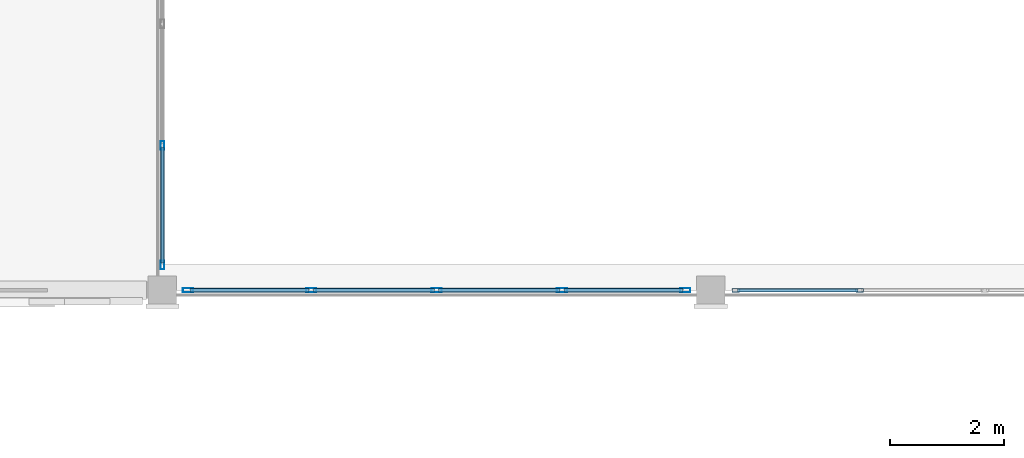
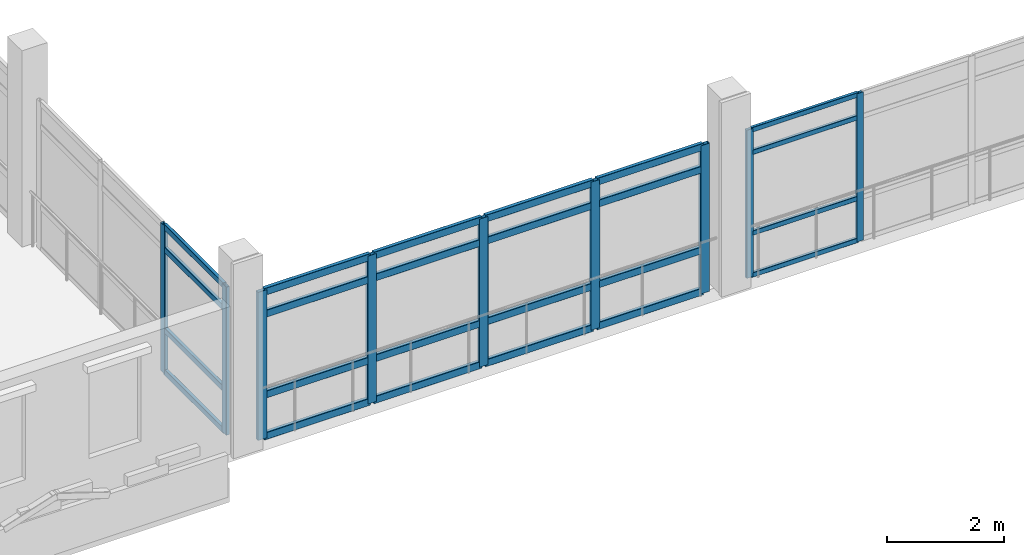
# One storey, part 3 of 24: 33 members, 3 elements without a shape of their own.
"""IFC4 building model written with IfcOpenShell, lengths in metres."""

from ifc_helpers import new_model, si_unit, direction, frame, origin, origin_2d, place, context, subcontext, project, spatial, hollow_rectangle, extrude, material, layer, layer_set, material_profile, profile_set, type_object, element, aggregate, save


model = new_model("IFC4")

# Units and contexts
model_context = context("Model", 3, precision=1e-05, world=origin(), true_north=direction((0.0, 1.0)))
body_context = subcontext(model_context, "Body", "Model", "MODEL_VIEW")
ifc_project = project(units=[si_unit("LENGTHUNIT", "METRE"), si_unit("AREAUNIT", "SQUARE_METRE"), si_unit("VOLUMEUNIT", "CUBIC_METRE"), si_unit("PLANEANGLEUNIT", "RADIAN"), si_unit("MASSUNIT", "GRAM", prefix="KILO")], contexts=[model_context])

# Site, building, storey
site_placement = place(None, origin())
site = spatial("IfcSite", under=ifc_project, at=site_placement, CompositionType="ELEMENT")
building_placement = place(site_placement, origin())
building = spatial("IfcBuilding", under=site, at=building_placement, Name="Asteropetra Specialist Clinic", CompositionType="ELEMENT")
storey_placement = place(building_placement, frame((0.0, 0.0, 20.739990234375)))
storey = spatial("IfcBuildingStorey", under=building, at=storey_placement, Name="L05", CompositionType="ELEMENT", Elevation=20.739990234375)

# Curtain wall, members
ifc_material_1 = material(Name="Aluminium and low-E glass", Category="aluminium")
ifc_layer_1 = layer(ifc_material_1, 0.135009765625)
ifc_layer_set_1 = layer_set([ifc_layer_1], Name="Aluminium and low-E glass")
curtain_wall_type_1 = type_object("IfcCurtainWallType", Name="CW-SYS-03", PredefinedType="USERDEFINED", material=ifc_layer_set_1)
curtain_wall_1_placement = place(storey_placement, origin())
curtain_wall_1 = element("IfcCurtainWall", 1, at=curtain_wall_1_placement, inside=storey, type_object=curtain_wall_type_1, Name="Curtain Wall CW-059", ObjectType="UNITISED CURTAIN WALL", PredefinedType="USERDEFINED")
ifc_material_2 = material(Name="Aluminium 6063-T6", Category="aluminium")
ifc_material_profile_1 = material_profile(ifc_material_2, hollow_rectangle(XDim=0.06005859375, YDim=0.135009765625, WallThickness=0.00341796875, InnerFilletRadius=0.00341796875, OuterFilletRadius=0.007080078125, at=origin_2d()), Name="MUL 135x60x3.5")
ifc_profile_set_1 = profile_set([ifc_material_profile_1], Name="Aluminium 6063-T6")
member_type_1 = type_object("IfcMemberType", Name="CWM-135x60", PredefinedType="MULLION", material=ifc_profile_set_1)
member_1_placement = place(storey_placement, frame((19.639892578125, 76.800048828125, 0.0), z_axis=(0.0, 0.0, 1.0), x_axis=(0.0, 1.0, 0.0)))
member_1 = element("IfcMember", 2, at=member_1_placement, type_object=member_type_1, Name="CW-059 mullion 1", PredefinedType="MULLION", context=body_context, shape_type="SweptSolid", body=[
    extrude(hollow_rectangle(XDim=0.06005859375, YDim=0.135009765625, WallThickness=0.00341796875, InnerFilletRadius=0.00341796875, OuterFilletRadius=0.007080078125, at=origin_2d()), origin(), (0.0, 0.0, 1.0), 3.080078125),
])
member_2_placement = place(storey_placement, frame((21.804931640625, 76.800048828125, 0.0), z_axis=(0.0, 0.0, 1.0), x_axis=(0.0, 1.0, 0.0)))
member_2 = element("IfcMember", 3, at=member_2_placement, type_object=member_type_1, Name="CW-059 mullion 2", PredefinedType="MULLION", context=body_context, shape_type="SweptSolid", body=[
    extrude(hollow_rectangle(XDim=0.06005859375, YDim=0.135009765625, WallThickness=0.00341796875, InnerFilletRadius=0.00341796875, OuterFilletRadius=0.007080078125, at=origin_2d()), origin(), (0.0, 0.0, 1.0), 3.080078125),
])

ifc_material_3 = material(Name="Aluminium and low-E glass", Category="aluminium")
ifc_layer_2 = layer(ifc_material_3, 0.179931640625)
ifc_layer_set_2 = layer_set([ifc_layer_2], Name="Aluminium and low-E glass")
curtain_wall_type_2 = type_object("IfcCurtainWallType", Name="CW-SYS-04", PredefinedType="USERDEFINED", material=ifc_layer_set_2)
curtain_wall_2_placement = place(storey_placement, origin())
curtain_wall_2 = element("IfcCurtainWall", 4, at=curtain_wall_2_placement, inside=storey, type_object=curtain_wall_type_2, Name="Curtain Wall CW-061", ObjectType="UNITISED CURTAIN WALL", PredefinedType="USERDEFINED")
ifc_material_4 = material(Name="Aluminium 6063-T6", Category="aluminium")
ifc_material_profile_2 = material_profile(ifc_material_4, hollow_rectangle(XDim=0.06494140625, YDim=0.14990234375, WallThickness=0.00390625, InnerFilletRadius=0.00390625, OuterFilletRadius=0.008056640625, at=origin_2d()), Name="MUL 150x65x4.0")
ifc_profile_set_2 = profile_set([ifc_material_profile_2], Name="Aluminium 6063-T6")
member_type_2 = type_object("IfcMemberType", Name="CWM-150x65", PredefinedType="MULLION", material=ifc_profile_set_2)
member_3_placement = place(storey_placement, frame((9.60009765625, 79.336669921875, 0.0), z_axis=(0.0, 0.0, 1.0), x_axis=(1.0, 0.0, 0.0)))
member_3 = element("IfcMember", 5, at=member_3_placement, type_object=member_type_2, Name="CW-061 mullion 3", PredefinedType="MULLION", context=body_context, shape_type="SweptSolid", body=[
    extrude(hollow_rectangle(XDim=0.06494140625, YDim=0.14990234375, WallThickness=0.00390625, InnerFilletRadius=0.00390625, OuterFilletRadius=0.008056640625, at=origin_2d()), origin(), (0.0, 0.0, 1.0), 3.080078125),
])
member_4_placement = place(storey_placement, frame((9.60009765625, 77.242431640625, 0.0), z_axis=(0.0, 0.0, 1.0), x_axis=(1.0, 0.0, 0.0)))
member_4 = element("IfcMember", 6, at=member_4_placement, type_object=member_type_2, Name="CW-061 mullion 4", PredefinedType="MULLION", context=body_context, shape_type="SweptSolid", body=[
    extrude(hollow_rectangle(XDim=0.06494140625, YDim=0.14990234375, WallThickness=0.00390625, InnerFilletRadius=0.00390625, OuterFilletRadius=0.008056640625, at=origin_2d()), origin(), (0.0, 0.0, 1.0), 3.080078125),
])

ifc_material_5 = material(Name="Aluminium and low-E glass", Category="aluminium")
ifc_layer_3 = layer(ifc_material_5, 0.14990234375)
ifc_layer_set_3 = layer_set([ifc_layer_3], Name="Aluminium and low-E glass")
curtain_wall_type_3 = type_object("IfcCurtainWallType", Name="CW-SYS-02", PredefinedType="USERDEFINED", material=ifc_layer_set_3)
curtain_wall_3_placement = place(storey_placement, origin())
curtain_wall_3 = element("IfcCurtainWall", 7, at=curtain_wall_3_placement, inside=storey, type_object=curtain_wall_type_3, Name="Curtain Wall CW-057", ObjectType="UNITISED CURTAIN WALL", PredefinedType="USERDEFINED")
ifc_material_6 = material(Name="Aluminium 6063-T6", Category="aluminium")
ifc_material_profile_3 = material_profile(ifc_material_6, hollow_rectangle(XDim=0.074951171875, YDim=0.179931640625, WallThickness=0.00390625, InnerFilletRadius=0.00390625, OuterFilletRadius=0.008056640625, at=origin_2d()), Name="MUL 180x75x4.0")
ifc_profile_set_3 = profile_set([ifc_material_profile_3], Name="Aluminium 6063-T6")
member_type_3 = type_object("IfcMemberType", Name="CWM-180x75", PredefinedType="MULLION", material=ifc_profile_set_3)
member_5_placement = place(storey_placement, frame((10.047607421875, 76.800048828125, 0.0), z_axis=(0.0, 0.0, 1.0), x_axis=(0.0, 1.0, 0.0)))
member_5 = element("IfcMember", 8, at=member_5_placement, type_object=member_type_3, Name="CW-057 mullion 1", PredefinedType="MULLION", context=body_context, shape_type="SweptSolid", body=[
    extrude(hollow_rectangle(XDim=0.074951171875, YDim=0.179931640625, WallThickness=0.00390625, InnerFilletRadius=0.00390625, OuterFilletRadius=0.008056640625, at=origin_2d()), origin(), (0.0, 0.0, 1.0), 3.080078125),
])
member_6_placement = place(storey_placement, frame((12.205078125, 76.800048828125, 0.0), z_axis=(0.0, 0.0, 1.0), x_axis=(0.0, 1.0, 0.0)))
member_6 = element("IfcMember", 9, at=member_6_placement, type_object=member_type_3, Name="CW-057 mullion 2", PredefinedType="MULLION", context=body_context, shape_type="SweptSolid", body=[
    extrude(hollow_rectangle(XDim=0.074951171875, YDim=0.179931640625, WallThickness=0.00390625, InnerFilletRadius=0.00390625, OuterFilletRadius=0.008056640625, at=origin_2d()), origin(), (0.0, 0.0, 1.0), 3.080078125),
])
member_7_placement = place(storey_placement, frame((14.39990234375, 76.800048828125, 0.0), z_axis=(0.0, 0.0, 1.0), x_axis=(0.0, 1.0, 0.0)))
member_7 = element("IfcMember", 10, at=member_7_placement, type_object=member_type_3, Name="CW-057 mullion 3", PredefinedType="MULLION", context=body_context, shape_type="SweptSolid", body=[
    extrude(hollow_rectangle(XDim=0.074951171875, YDim=0.179931640625, WallThickness=0.00390625, InnerFilletRadius=0.00390625, OuterFilletRadius=0.008056640625, at=origin_2d()), origin(), (0.0, 0.0, 1.0), 3.080078125),
])
member_8_placement = place(storey_placement, frame((16.594970703125, 76.800048828125, 0.0), z_axis=(0.0, 0.0, 1.0), x_axis=(0.0, 1.0, 0.0)))
member_8 = element("IfcMember", 11, at=member_8_placement, type_object=member_type_3, Name="CW-057 mullion 4", PredefinedType="MULLION", context=body_context, shape_type="SweptSolid", body=[
    extrude(hollow_rectangle(XDim=0.074951171875, YDim=0.179931640625, WallThickness=0.00390625, InnerFilletRadius=0.00390625, OuterFilletRadius=0.008056640625, at=origin_2d()), origin(), (0.0, 0.0, 1.0), 3.080078125),
])
member_9_placement = place(storey_placement, frame((18.75244140625, 76.800048828125, 0.0), z_axis=(0.0, 0.0, 1.0), x_axis=(0.0, 1.0, 0.0)))
member_9 = element("IfcMember", 12, at=member_9_placement, type_object=member_type_3, Name="CW-057 mullion 5", PredefinedType="MULLION", context=body_context, shape_type="SweptSolid", body=[
    extrude(hollow_rectangle(XDim=0.074951171875, YDim=0.179931640625, WallThickness=0.00390625, InnerFilletRadius=0.00390625, OuterFilletRadius=0.008056640625, at=origin_2d()), origin(), (0.0, 0.0, 1.0), 3.080078125),
])

# Member
ifc_material_7 = material(Name="Aluminium 6063-T6", Category="aluminium")
ifc_material_profile_4 = material_profile(ifc_material_7, hollow_rectangle(XDim=0.06005859375, YDim=0.10009765625, WallThickness=0.00341796875, InnerFilletRadius=0.00341796875, OuterFilletRadius=0.007080078125, at=origin_2d()), Name="TRN 100x60x3.5")
ifc_profile_set_4 = profile_set([ifc_material_profile_4], Name="Aluminium 6063-T6")
member_type_4 = type_object("IfcMemberType", Name="CWT-100x60", PredefinedType="USERDEFINED", material=ifc_profile_set_4)
member_10_placement = place(storey_placement, frame((19.669921875, 76.800048828125, 0.030029296875), z_axis=(1.0, 0.0, 0.0), x_axis=(0.0, 1.0, 0.0)))
member_10 = element("IfcMember", 13, at=member_10_placement, type_object=member_type_4, Name="CW-059 transom 1.1", ObjectType="TRANSOM", PredefinedType="USERDEFINED", context=body_context, shape_type="SweptSolid", body=[
    extrude(hollow_rectangle(XDim=0.06005859375, YDim=0.10009765625, WallThickness=0.00341796875, InnerFilletRadius=0.00341796875, OuterFilletRadius=0.007080078125, at=origin_2d()), origin(), (0.0, 0.0, 1.0), 2.10498046875),
])

member_11_placement = place(storey_placement, frame((19.669921875, 76.800048828125, 0.89990234375), z_axis=(1.0, 0.0, 0.0), x_axis=(0.0, 1.0, 0.0)))
member_11 = element("IfcMember", 14, at=member_11_placement, type_object=member_type_4, Name="CW-059 transom 1.2", ObjectType="TRANSOM", PredefinedType="USERDEFINED", context=body_context, shape_type="SweptSolid", body=[
    extrude(hollow_rectangle(XDim=0.06005859375, YDim=0.10009765625, WallThickness=0.00341796875, InnerFilletRadius=0.00341796875, OuterFilletRadius=0.007080078125, at=origin_2d()), origin(), (0.0, 0.0, 1.0), 2.10498046875),
])

member_12_placement = place(storey_placement, frame((19.669921875, 76.800048828125, 2.580078125), z_axis=(1.0, 0.0, 0.0), x_axis=(0.0, 1.0, 0.0)))
member_12 = element("IfcMember", 15, at=member_12_placement, type_object=member_type_4, Name="CW-059 transom 1.3", ObjectType="TRANSOM", PredefinedType="USERDEFINED", context=body_context, shape_type="SweptSolid", body=[
    extrude(hollow_rectangle(XDim=0.06005859375, YDim=0.10009765625, WallThickness=0.00341796875, InnerFilletRadius=0.00341796875, OuterFilletRadius=0.007080078125, at=origin_2d()), origin(), (0.0, 0.0, 1.0), 2.10498046875),
])

member_13_placement = place(storey_placement, frame((19.669921875, 76.800048828125, 3.050048828125), z_axis=(1.0, 0.0, 0.0), x_axis=(0.0, 1.0, 0.0)))
member_13 = element("IfcMember", 16, at=member_13_placement, type_object=member_type_4, Name="CW-059 transom 1.4", ObjectType="TRANSOM", PredefinedType="USERDEFINED", context=body_context, shape_type="SweptSolid", body=[
    extrude(hollow_rectangle(XDim=0.06005859375, YDim=0.10009765625, WallThickness=0.00341796875, InnerFilletRadius=0.00341796875, OuterFilletRadius=0.007080078125, at=origin_2d()), origin(), (0.0, 0.0, 1.0), 2.10498046875),
])

aggregate(curtain_wall_1, [member_1, member_2, member_10, member_11, member_12, member_13])

ifc_material_8 = material(Name="Aluminium 6063-T6", Category="aluminium")
ifc_material_profile_5 = material_profile(ifc_material_8, hollow_rectangle(XDim=0.06494140625, YDim=0.1201171875, WallThickness=0.00390625, InnerFilletRadius=0.00390625, OuterFilletRadius=0.008056640625, at=origin_2d()), Name="TRN 120x65x4.0")
ifc_profile_set_5 = profile_set([ifc_material_profile_5], Name="Aluminium 6063-T6")
member_type_5 = type_object("IfcMemberType", Name="CWT-120x65", PredefinedType="USERDEFINED", material=ifc_profile_set_5)
member_14_placement = place(storey_placement, frame((9.60009765625, 79.30419921875, 0.032470703125), z_axis=(0.0, -1.0, 0.0), x_axis=(1.0, 0.0, 0.0)))
member_14 = element("IfcMember", 17, at=member_14_placement, type_object=member_type_5, Name="CW-061 transom 3.1", ObjectType="TRANSOM", PredefinedType="USERDEFINED", context=body_context, shape_type="SweptSolid", body=[
    extrude(hollow_rectangle(XDim=0.06494140625, YDim=0.1201171875, WallThickness=0.00390625, InnerFilletRadius=0.00390625, OuterFilletRadius=0.008056640625, at=origin_2d()), origin(), (0.0, 0.0, 1.0), 2.029296875),
])

member_15_placement = place(storey_placement, frame((9.60009765625, 79.30419921875, 0.89990234375), z_axis=(0.0, -1.0, 0.0), x_axis=(1.0, 0.0, 0.0)))
member_15 = element("IfcMember", 18, at=member_15_placement, type_object=member_type_5, Name="CW-061 transom 3.2", ObjectType="TRANSOM", PredefinedType="USERDEFINED", context=body_context, shape_type="SweptSolid", body=[
    extrude(hollow_rectangle(XDim=0.06494140625, YDim=0.1201171875, WallThickness=0.00390625, InnerFilletRadius=0.00390625, OuterFilletRadius=0.008056640625, at=origin_2d()), origin(), (0.0, 0.0, 1.0), 2.029296875),
])

member_16_placement = place(storey_placement, frame((9.60009765625, 79.30419921875, 2.580078125), z_axis=(0.0, -1.0, 0.0), x_axis=(1.0, 0.0, 0.0)))
member_16 = element("IfcMember", 19, at=member_16_placement, type_object=member_type_5, Name="CW-061 transom 3.3", ObjectType="TRANSOM", PredefinedType="USERDEFINED", context=body_context, shape_type="SweptSolid", body=[
    extrude(hollow_rectangle(XDim=0.06494140625, YDim=0.1201171875, WallThickness=0.00390625, InnerFilletRadius=0.00390625, OuterFilletRadius=0.008056640625, at=origin_2d()), origin(), (0.0, 0.0, 1.0), 2.029296875),
])

member_17_placement = place(storey_placement, frame((9.60009765625, 79.30419921875, 3.047607421875), z_axis=(0.0, -1.0, 0.0), x_axis=(1.0, 0.0, 0.0)))
member_17 = element("IfcMember", 20, at=member_17_placement, type_object=member_type_5, Name="CW-061 transom 3.4", ObjectType="TRANSOM", PredefinedType="USERDEFINED", context=body_context, shape_type="SweptSolid", body=[
    extrude(hollow_rectangle(XDim=0.06494140625, YDim=0.1201171875, WallThickness=0.00390625, InnerFilletRadius=0.00390625, OuterFilletRadius=0.008056640625, at=origin_2d()), origin(), (0.0, 0.0, 1.0), 2.029296875),
])

aggregate(curtain_wall_2, [member_3, member_4, member_14, member_15, member_16, member_17])

ifc_material_9 = material(Name="Aluminium 6063-T6", Category="aluminium")
ifc_material_profile_6 = material_profile(ifc_material_9, hollow_rectangle(XDim=0.074951171875, YDim=0.14990234375, WallThickness=0.00390625, InnerFilletRadius=0.00390625, OuterFilletRadius=0.008056640625, at=origin_2d()), Name="TRN 150x75x4.0")
ifc_profile_set_6 = profile_set([ifc_material_profile_6], Name="Aluminium 6063-T6")
member_type_6 = type_object("IfcMemberType", Name="CWT-150x75", PredefinedType="USERDEFINED", material=ifc_profile_set_6)
member_18_placement = place(storey_placement, frame((10.0849609375, 76.800048828125, 0.03759765625), z_axis=(1.0, 0.0, 0.0), x_axis=(0.0, 1.0, 0.0)))
member_18 = element("IfcMember", 21, at=member_18_placement, type_object=member_type_6, Name="CW-057 transom 1.1", ObjectType="TRANSOM", PredefinedType="USERDEFINED", context=body_context, shape_type="SweptSolid", body=[
    extrude(hollow_rectangle(XDim=0.074951171875, YDim=0.14990234375, WallThickness=0.00390625, InnerFilletRadius=0.00390625, OuterFilletRadius=0.008056640625, at=origin_2d()), origin(), (0.0, 0.0, 1.0), 2.08251953125),
])

member_19_placement = place(storey_placement, frame((10.0849609375, 76.800048828125, 0.89990234375), z_axis=(1.0, 0.0, 0.0), x_axis=(0.0, 1.0, 0.0)))
member_19 = element("IfcMember", 22, at=member_19_placement, type_object=member_type_6, Name="CW-057 transom 1.2", ObjectType="TRANSOM", PredefinedType="USERDEFINED", context=body_context, shape_type="SweptSolid", body=[
    extrude(hollow_rectangle(XDim=0.074951171875, YDim=0.14990234375, WallThickness=0.00390625, InnerFilletRadius=0.00390625, OuterFilletRadius=0.008056640625, at=origin_2d()), origin(), (0.0, 0.0, 1.0), 2.08251953125),
])

member_20_placement = place(storey_placement, frame((10.0849609375, 76.800048828125, 2.580078125), z_axis=(1.0, 0.0, 0.0), x_axis=(0.0, 1.0, 0.0)))
member_20 = element("IfcMember", 23, at=member_20_placement, type_object=member_type_6, Name="CW-057 transom 1.3", ObjectType="TRANSOM", PredefinedType="USERDEFINED", context=body_context, shape_type="SweptSolid", body=[
    extrude(hollow_rectangle(XDim=0.074951171875, YDim=0.14990234375, WallThickness=0.00390625, InnerFilletRadius=0.00390625, OuterFilletRadius=0.008056640625, at=origin_2d()), origin(), (0.0, 0.0, 1.0), 2.08251953125),
])

member_21_placement = place(storey_placement, frame((10.0849609375, 76.800048828125, 3.04248046875), z_axis=(1.0, 0.0, 0.0), x_axis=(0.0, 1.0, 0.0)))
member_21 = element("IfcMember", 24, at=member_21_placement, type_object=member_type_6, Name="CW-057 transom 1.4", ObjectType="TRANSOM", PredefinedType="USERDEFINED", context=body_context, shape_type="SweptSolid", body=[
    extrude(hollow_rectangle(XDim=0.074951171875, YDim=0.14990234375, WallThickness=0.00390625, InnerFilletRadius=0.00390625, OuterFilletRadius=0.008056640625, at=origin_2d()), origin(), (0.0, 0.0, 1.0), 2.08251953125),
])

member_22_placement = place(storey_placement, frame((12.242431640625, 76.800048828125, 0.03759765625), z_axis=(1.0, 0.0, 0.0), x_axis=(0.0, 1.0, 0.0)))
member_22 = element("IfcMember", 25, at=member_22_placement, type_object=member_type_6, Name="CW-057 transom 2.1", ObjectType="TRANSOM", PredefinedType="USERDEFINED", context=body_context, shape_type="SweptSolid", body=[
    extrude(hollow_rectangle(XDim=0.074951171875, YDim=0.14990234375, WallThickness=0.00390625, InnerFilletRadius=0.00390625, OuterFilletRadius=0.008056640625, at=origin_2d()), origin(), (0.0, 0.0, 1.0), 2.1201171875),
])

member_23_placement = place(storey_placement, frame((12.242431640625, 76.800048828125, 0.89990234375), z_axis=(1.0, 0.0, 0.0), x_axis=(0.0, 1.0, 0.0)))
member_23 = element("IfcMember", 26, at=member_23_placement, type_object=member_type_6, Name="CW-057 transom 2.2", ObjectType="TRANSOM", PredefinedType="USERDEFINED", context=body_context, shape_type="SweptSolid", body=[
    extrude(hollow_rectangle(XDim=0.074951171875, YDim=0.14990234375, WallThickness=0.00390625, InnerFilletRadius=0.00390625, OuterFilletRadius=0.008056640625, at=origin_2d()), origin(), (0.0, 0.0, 1.0), 2.1201171875),
])

member_24_placement = place(storey_placement, frame((12.242431640625, 76.800048828125, 2.580078125), z_axis=(1.0, 0.0, 0.0), x_axis=(0.0, 1.0, 0.0)))
member_24 = element("IfcMember", 27, at=member_24_placement, type_object=member_type_6, Name="CW-057 transom 2.3", ObjectType="TRANSOM", PredefinedType="USERDEFINED", context=body_context, shape_type="SweptSolid", body=[
    extrude(hollow_rectangle(XDim=0.074951171875, YDim=0.14990234375, WallThickness=0.00390625, InnerFilletRadius=0.00390625, OuterFilletRadius=0.008056640625, at=origin_2d()), origin(), (0.0, 0.0, 1.0), 2.1201171875),
])

member_25_placement = place(storey_placement, frame((12.242431640625, 76.800048828125, 3.04248046875), z_axis=(1.0, 0.0, 0.0), x_axis=(0.0, 1.0, 0.0)))
member_25 = element("IfcMember", 28, at=member_25_placement, type_object=member_type_6, Name="CW-057 transom 2.4", ObjectType="TRANSOM", PredefinedType="USERDEFINED", context=body_context, shape_type="SweptSolid", body=[
    extrude(hollow_rectangle(XDim=0.074951171875, YDim=0.14990234375, WallThickness=0.00390625, InnerFilletRadius=0.00390625, OuterFilletRadius=0.008056640625, at=origin_2d()), origin(), (0.0, 0.0, 1.0), 2.1201171875),
])

member_26_placement = place(storey_placement, frame((14.4375, 76.800048828125, 0.03759765625), z_axis=(1.0, 0.0, 0.0), x_axis=(0.0, 1.0, 0.0)))
member_26 = element("IfcMember", 29, at=member_26_placement, type_object=member_type_6, Name="CW-057 transom 3.1", ObjectType="TRANSOM", PredefinedType="USERDEFINED", context=body_context, shape_type="SweptSolid", body=[
    extrude(hollow_rectangle(XDim=0.074951171875, YDim=0.14990234375, WallThickness=0.00390625, InnerFilletRadius=0.00390625, OuterFilletRadius=0.008056640625, at=origin_2d()), origin(), (0.0, 0.0, 1.0), 2.1201171875),
])

member_27_placement = place(storey_placement, frame((14.4375, 76.800048828125, 0.89990234375), z_axis=(1.0, 0.0, 0.0), x_axis=(0.0, 1.0, 0.0)))
member_27 = element("IfcMember", 30, at=member_27_placement, type_object=member_type_6, Name="CW-057 transom 3.2", ObjectType="TRANSOM", PredefinedType="USERDEFINED", context=body_context, shape_type="SweptSolid", body=[
    extrude(hollow_rectangle(XDim=0.074951171875, YDim=0.14990234375, WallThickness=0.00390625, InnerFilletRadius=0.00390625, OuterFilletRadius=0.008056640625, at=origin_2d()), origin(), (0.0, 0.0, 1.0), 2.1201171875),
])

member_28_placement = place(storey_placement, frame((14.4375, 76.800048828125, 2.580078125), z_axis=(1.0, 0.0, 0.0), x_axis=(0.0, 1.0, 0.0)))
member_28 = element("IfcMember", 31, at=member_28_placement, type_object=member_type_6, Name="CW-057 transom 3.3", ObjectType="TRANSOM", PredefinedType="USERDEFINED", context=body_context, shape_type="SweptSolid", body=[
    extrude(hollow_rectangle(XDim=0.074951171875, YDim=0.14990234375, WallThickness=0.00390625, InnerFilletRadius=0.00390625, OuterFilletRadius=0.008056640625, at=origin_2d()), origin(), (0.0, 0.0, 1.0), 2.1201171875),
])

member_29_placement = place(storey_placement, frame((14.4375, 76.800048828125, 3.04248046875), z_axis=(1.0, 0.0, 0.0), x_axis=(0.0, 1.0, 0.0)))
member_29 = element("IfcMember", 32, at=member_29_placement, type_object=member_type_6, Name="CW-057 transom 3.4", ObjectType="TRANSOM", PredefinedType="USERDEFINED", context=body_context, shape_type="SweptSolid", body=[
    extrude(hollow_rectangle(XDim=0.074951171875, YDim=0.14990234375, WallThickness=0.00390625, InnerFilletRadius=0.00390625, OuterFilletRadius=0.008056640625, at=origin_2d()), origin(), (0.0, 0.0, 1.0), 2.1201171875),
])

member_30_placement = place(storey_placement, frame((16.632568359375, 76.800048828125, 0.03759765625), z_axis=(1.0, 0.0, 0.0), x_axis=(0.0, 1.0, 0.0)))
member_30 = element("IfcMember", 33, at=member_30_placement, type_object=member_type_6, Name="CW-057 transom 4.1", ObjectType="TRANSOM", PredefinedType="USERDEFINED", context=body_context, shape_type="SweptSolid", body=[
    extrude(hollow_rectangle(XDim=0.074951171875, YDim=0.14990234375, WallThickness=0.00390625, InnerFilletRadius=0.00390625, OuterFilletRadius=0.008056640625, at=origin_2d()), origin(), (0.0, 0.0, 1.0), 2.08251953125),
])

member_31_placement = place(storey_placement, frame((16.632568359375, 76.800048828125, 0.89990234375), z_axis=(1.0, 0.0, 0.0), x_axis=(0.0, 1.0, 0.0)))
member_31 = element("IfcMember", 34, at=member_31_placement, type_object=member_type_6, Name="CW-057 transom 4.2", ObjectType="TRANSOM", PredefinedType="USERDEFINED", context=body_context, shape_type="SweptSolid", body=[
    extrude(hollow_rectangle(XDim=0.074951171875, YDim=0.14990234375, WallThickness=0.00390625, InnerFilletRadius=0.00390625, OuterFilletRadius=0.008056640625, at=origin_2d()), origin(), (0.0, 0.0, 1.0), 2.08251953125),
])

member_32_placement = place(storey_placement, frame((16.632568359375, 76.800048828125, 2.580078125), z_axis=(1.0, 0.0, 0.0), x_axis=(0.0, 1.0, 0.0)))
member_32 = element("IfcMember", 35, at=member_32_placement, type_object=member_type_6, Name="CW-057 transom 4.3", ObjectType="TRANSOM", PredefinedType="USERDEFINED", context=body_context, shape_type="SweptSolid", body=[
    extrude(hollow_rectangle(XDim=0.074951171875, YDim=0.14990234375, WallThickness=0.00390625, InnerFilletRadius=0.00390625, OuterFilletRadius=0.008056640625, at=origin_2d()), origin(), (0.0, 0.0, 1.0), 2.08251953125),
])

member_33_placement = place(storey_placement, frame((16.632568359375, 76.800048828125, 3.04248046875), z_axis=(1.0, 0.0, 0.0), x_axis=(0.0, 1.0, 0.0)))
member_33 = element("IfcMember", 36, at=member_33_placement, type_object=member_type_6, Name="CW-057 transom 4.4", ObjectType="TRANSOM", PredefinedType="USERDEFINED", context=body_context, shape_type="SweptSolid", body=[
    extrude(hollow_rectangle(XDim=0.074951171875, YDim=0.14990234375, WallThickness=0.00390625, InnerFilletRadius=0.00390625, OuterFilletRadius=0.008056640625, at=origin_2d()), origin(), (0.0, 0.0, 1.0), 2.08251953125),
])

aggregate(curtain_wall_3, [member_5, member_6, member_7, member_8, member_9, member_18, member_19, member_20, member_21, member_22, member_23, member_24, member_25, member_26, member_27, member_28, member_29, member_30, member_31, member_32, member_33])

save(model, "model.ifc")
